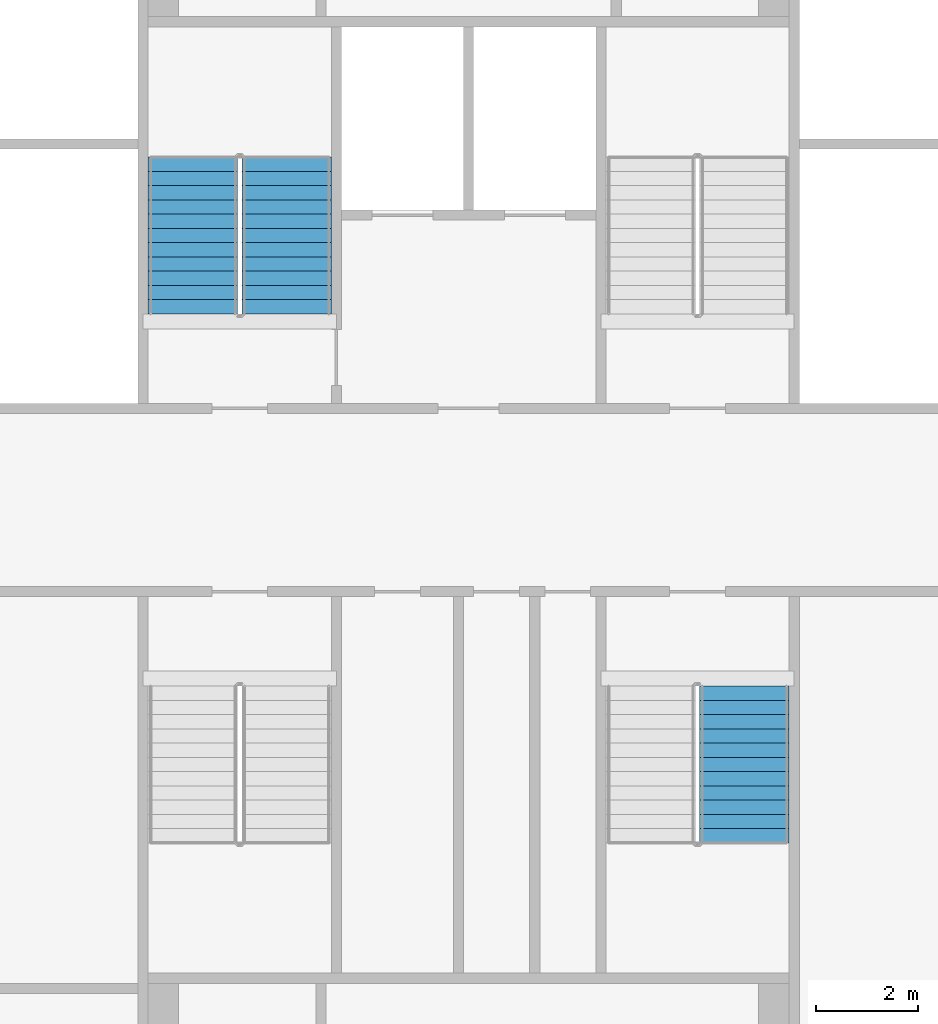
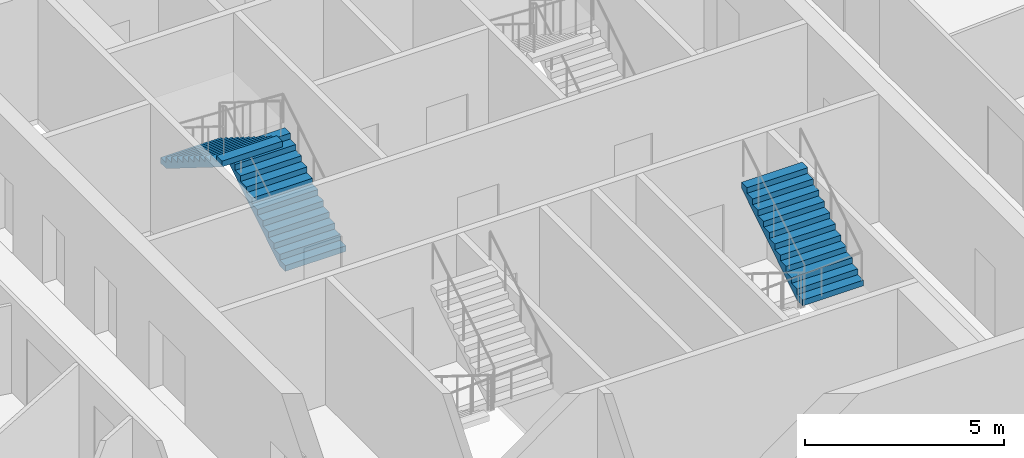
# One storey, part 23 of 28: 3 stair flights, 2 elements without a shape of their own.
"""IFC4 building model written with IfcOpenShell, lengths in metres."""

from ifc_helpers import new_model, si_unit, direction, frame, origin, place, context, subcontext, project, spatial, faceted_brep, material, type_object, element, aggregate, save


model = new_model("IFC4")

# Units and contexts
model_context = context("Model", 3, precision=1e-05, world=origin(), true_north=direction((0.0, 1.0)))
body_context = subcontext(model_context, "Body", "Model", "MODEL_VIEW")
ifc_project = project(units=[si_unit("LENGTHUNIT", "METRE"), si_unit("AREAUNIT", "SQUARE_METRE"), si_unit("VOLUMEUNIT", "CUBIC_METRE"), si_unit("PLANEANGLEUNIT", "RADIAN"), si_unit("MASSUNIT", "GRAM", prefix="KILO")], contexts=[model_context])

# Site, building, storey
site_placement = place(None, origin())
site = spatial("IfcSite", under=ifc_project, at=site_placement, CompositionType="ELEMENT")
building_placement = place(site_placement, origin())
building = spatial("IfcBuilding", under=site, at=building_placement, Name="Tarsis Ring Headquarters", CompositionType="ELEMENT")
storey_placement = place(building_placement, frame((0.0, 0.0, 394.39990234375)))
storey = spatial("IfcBuildingStorey", under=building, at=storey_placement, Name="L93", CompositionType="ELEMENT", Elevation=394.39990234375)

# Stair, stair flights
ifc_material_1 = material(Name="Core stair 1760")
stair_type = type_object("IfcStairType", Name="Core stair 1760", PredefinedType="HALF_TURN_STAIR", material=ifc_material_1)
stair_1_placement = place(storey_placement, origin())
stair_1 = element("IfcStair", 1, at=stair_1_placement, inside=storey, type_object=stair_type, Name="L93 Firefighting stair", PredefinedType="HALF_TURN_STAIR")
ifc_material_2 = material(Name="Concrete C40/50", Category="concrete")
stair_flight_type = type_object("IfcStairFlightType", Name="Core stair flight 1760", PredefinedType="STRAIGHT", material=ifc_material_2)
stair_flight_1_placement = place(storey_placement, frame((-3.580078125, 3.659912109375, 0.0), z_axis=(0.0, 0.0, 1.0), x_axis=(0.0, 1.0, 0.0)))
stair_flight_1 = element("IfcStairFlight", 2, at=stair_flight_1_placement, type_object=stair_flight_type, Name="Stair ST1 flight 1", NumberOfRisers=12, NumberOfTreads=11, PredefinedType="STRAIGHT", RiserHeight=0.175, TreadLength=0.28, context=body_context, shape_type="Brep", body=[
    faceted_brep([(0.0, 0.8798828125, 0.0), (0.0, 0.8798828125, 0.175048828125), (0.280029296875, 0.8798828125, 0.175048828125), (0.280029296875, 0.8798828125, 0.35009765625), (0.56005859375, 0.8798828125, 0.35009765625), (0.56005859375, 0.8798828125, 0.52490234375), (0.840087890625, 0.8798828125, 0.52490234375), (0.840087890625, 0.8798828125, 0.699951171875), (1.1201171875, 0.8798828125, 0.699951171875), (1.1201171875, 0.8798828125, 0.875), (1.39990234375, 0.8798828125, 0.875), (1.39990234375, 0.8798828125, 1.050048828125), (1.679931640625, 0.8798828125, 1.050048828125), (1.679931640625, 0.8798828125, 1.22509765625), (1.9599609375, 0.8798828125, 1.22509765625), (1.9599609375, 0.8798828125, 1.39990234375), (2.239990234375, 0.8798828125, 1.39990234375), (2.239990234375, 0.8798828125, 1.574951171875), (2.52001953125, 0.8798828125, 1.574951171875), (2.52001953125, 0.8798828125, 1.75), (2.800048828125, 0.8798828125, 1.75), (2.800048828125, 0.8798828125, 1.925048828125), (3.080078125, 0.8798828125, 1.925048828125), (3.080078125, 0.8798828125, 1.748291015625), (0.28271484375, 0.8798828125, 0.0), (0.28271484375, -0.8798828125, 0.0), (3.080078125, -0.8798828125, 1.748291015625), (3.080078125, -0.8798828125, 1.925048828125), (2.800048828125, -0.8798828125, 1.925048828125), (2.800048828125, -0.8798828125, 1.75), (2.52001953125, -0.8798828125, 1.75), (2.52001953125, -0.8798828125, 1.574951171875), (2.239990234375, -0.8798828125, 1.574951171875), (2.239990234375, -0.8798828125, 1.39990234375), (1.9599609375, -0.8798828125, 1.39990234375), (1.9599609375, -0.8798828125, 1.22509765625), (1.679931640625, -0.8798828125, 1.22509765625), (1.679931640625, -0.8798828125, 1.050048828125), (1.39990234375, -0.8798828125, 1.050048828125), (1.39990234375, -0.8798828125, 0.875), (1.1201171875, -0.8798828125, 0.875), (1.1201171875, -0.8798828125, 0.699951171875), (0.840087890625, -0.8798828125, 0.699951171875), (0.840087890625, -0.8798828125, 0.52490234375), (0.56005859375, -0.8798828125, 0.52490234375), (0.56005859375, -0.8798828125, 0.35009765625), (0.280029296875, -0.8798828125, 0.35009765625), (0.280029296875, -0.8798828125, 0.175048828125), (0.0, -0.8798828125, 0.175048828125), (0.0, -0.8798828125, 0.0), (0.0, -0.43994140625, 0.175048828125), (0.0, -0.43994140625, 0.0), (0.0, 0.0, 0.175048828125), (0.0, 0.0, 0.0), (0.0, 0.43994140625, 0.175048828125), (0.0, 0.43994140625, 0.0), (0.280029296875, -0.43994140625, 0.175048828125), (0.280029296875, 0.0, 0.175048828125), (0.280029296875, 0.43994140625, 0.175048828125), (0.280029296875, -0.43994140625, 0.35009765625), (0.280029296875, 0.0, 0.35009765625), (0.280029296875, 0.43994140625, 0.35009765625), (0.56005859375, -0.43994140625, 0.35009765625), (0.56005859375, 0.0, 0.35009765625), (0.56005859375, 0.43994140625, 0.35009765625), (0.56005859375, -0.43994140625, 0.52490234375), (0.56005859375, 0.0, 0.52490234375), (0.56005859375, 0.43994140625, 0.52490234375), (0.840087890625, -0.43994140625, 0.52490234375), (0.840087890625, 0.0, 0.52490234375), (0.840087890625, 0.43994140625, 0.52490234375), (0.840087890625, -0.43994140625, 0.699951171875), (0.840087890625, 0.0, 0.699951171875), (0.840087890625, 0.43994140625, 0.699951171875), (1.1201171875, -0.43994140625, 0.699951171875), (1.1201171875, 0.0, 0.699951171875), (1.1201171875, 0.43994140625, 0.699951171875), (1.1201171875, -0.43994140625, 0.875), (1.1201171875, 0.0, 0.875), (1.1201171875, 0.43994140625, 0.875), (1.39990234375, -0.43994140625, 0.875), (1.39990234375, 0.0, 0.875), (1.39990234375, 0.43994140625, 0.875), (1.39990234375, -0.43994140625, 1.050048828125), (1.39990234375, 0.0, 1.050048828125), (1.39990234375, 0.43994140625, 1.050048828125), (1.679931640625, -0.43994140625, 1.050048828125), (1.679931640625, 0.0, 1.050048828125), (1.679931640625, 0.43994140625, 1.050048828125), (1.679931640625, -0.43994140625, 1.22509765625), (1.679931640625, 0.0, 1.22509765625), (1.679931640625, 0.43994140625, 1.22509765625), (1.9599609375, -0.43994140625, 1.22509765625), (1.9599609375, 0.0, 1.22509765625), (1.9599609375, 0.43994140625, 1.22509765625), (1.9599609375, -0.43994140625, 1.39990234375), (1.9599609375, 0.0, 1.39990234375), (1.9599609375, 0.43994140625, 1.39990234375), (2.239990234375, -0.43994140625, 1.39990234375), (2.239990234375, 0.0, 1.39990234375), (2.239990234375, 0.43994140625, 1.39990234375), (2.239990234375, -0.43994140625, 1.574951171875), (2.239990234375, 0.0, 1.574951171875), (2.239990234375, 0.43994140625, 1.574951171875), (2.52001953125, -0.43994140625, 1.574951171875), (2.52001953125, 0.0, 1.574951171875), (2.52001953125, 0.43994140625, 1.574951171875), (2.52001953125, -0.43994140625, 1.75), (2.52001953125, 0.0, 1.75), (2.52001953125, 0.43994140625, 1.75), (2.800048828125, -0.43994140625, 1.75), (2.800048828125, 0.0, 1.75), (2.800048828125, 0.43994140625, 1.75), (2.800048828125, -0.43994140625, 1.925048828125), (2.800048828125, 0.0, 1.925048828125), (2.800048828125, 0.43994140625, 1.925048828125), (3.080078125, -0.43994140625, 1.925048828125), (3.080078125, 0.0, 1.925048828125), (3.080078125, 0.43994140625, 1.925048828125), (3.080078125, -0.43994140625, 1.748291015625), (3.080078125, 0.0, 1.748291015625), (3.080078125, 0.43994140625, 1.748291015625), (0.28271484375, -0.43994140625, 0.0), (0.28271484375, 0.0, 0.0), (0.28271484375, 0.43994140625, 0.0)], [[[0, 1, 2, 3, 4, 5, 6, 7, 8, 9, 10, 11, 12, 13, 14, 15, 16, 17, 18, 19, 20, 21, 22, 23, 24]], [[25, 26, 27, 28, 29, 30, 31, 32, 33, 34, 35, 36, 37, 38, 39, 40, 41, 42, 43, 44, 45, 46, 47, 48, 49]], [[49, 48, 50, 51]], [[51, 50, 52, 53]], [[53, 52, 54, 55]], [[55, 54, 1, 0]], [[48, 47, 56, 50]], [[50, 56, 57, 52]], [[52, 57, 58, 54]], [[54, 58, 2, 1]], [[47, 46, 59, 56]], [[56, 59, 60, 57]], [[57, 60, 61, 58]], [[58, 61, 3, 2]], [[46, 45, 62, 59]], [[59, 62, 63, 60]], [[60, 63, 64, 61]], [[61, 64, 4, 3]], [[45, 44, 65, 62]], [[62, 65, 66, 63]], [[63, 66, 67, 64]], [[64, 67, 5, 4]], [[44, 43, 68, 65]], [[65, 68, 69, 66]], [[66, 69, 70, 67]], [[67, 70, 6, 5]], [[43, 42, 71, 68]], [[68, 71, 72, 69]], [[69, 72, 73, 70]], [[70, 73, 7, 6]], [[42, 41, 74, 71]], [[71, 74, 75, 72]], [[72, 75, 76, 73]], [[73, 76, 8, 7]], [[41, 40, 77, 74]], [[74, 77, 78, 75]], [[75, 78, 79, 76]], [[76, 79, 9, 8]], [[40, 39, 80, 77]], [[77, 80, 81, 78]], [[78, 81, 82, 79]], [[79, 82, 10, 9]], [[39, 38, 83, 80]], [[80, 83, 84, 81]], [[81, 84, 85, 82]], [[82, 85, 11, 10]], [[38, 37, 86, 83]], [[83, 86, 87, 84]], [[84, 87, 88, 85]], [[85, 88, 12, 11]], [[37, 36, 89, 86]], [[86, 89, 90, 87]], [[87, 90, 91, 88]], [[88, 91, 13, 12]], [[36, 35, 92, 89]], [[89, 92, 93, 90]], [[90, 93, 94, 91]], [[91, 94, 14, 13]], [[35, 34, 95, 92]], [[92, 95, 96, 93]], [[93, 96, 97, 94]], [[94, 97, 15, 14]], [[34, 33, 98, 95]], [[95, 98, 99, 96]], [[96, 99, 100, 97]], [[97, 100, 16, 15]], [[33, 32, 101, 98]], [[98, 101, 102, 99]], [[99, 102, 103, 100]], [[100, 103, 17, 16]], [[32, 31, 104, 101]], [[101, 104, 105, 102]], [[102, 105, 106, 103]], [[103, 106, 18, 17]], [[31, 30, 107, 104]], [[104, 107, 108, 105]], [[105, 108, 109, 106]], [[106, 109, 19, 18]], [[30, 29, 110, 107]], [[107, 110, 111, 108]], [[108, 111, 112, 109]], [[109, 112, 20, 19]], [[29, 28, 113, 110]], [[110, 113, 114, 111]], [[111, 114, 115, 112]], [[112, 115, 21, 20]], [[28, 27, 116, 113]], [[113, 116, 117, 114]], [[114, 117, 118, 115]], [[115, 118, 22, 21]], [[27, 26, 119, 116]], [[116, 119, 120, 117]], [[117, 120, 121, 118]], [[118, 121, 23, 22]], [[26, 25, 122, 119]], [[119, 122, 123, 120]], [[120, 123, 124, 121]], [[121, 124, 24, 23]], [[25, 49, 51, 122]], [[122, 51, 53, 123]], [[123, 53, 55, 124]], [[124, 55, 0, 24]]]),
])
stair_flight_2_placement = place(storey_placement, frame((-5.419921875, 6.739990234375, 2.10009765625), z_axis=(0.0, 0.0, 1.0), x_axis=(0.0, -1.0, 0.0)))
stair_flight_2 = element("IfcStairFlight", 3, at=stair_flight_2_placement, type_object=stair_flight_type, Name="Stair ST1 flight 2", NumberOfRisers=12, NumberOfTreads=11, PredefinedType="STRAIGHT", RiserHeight=0.175, TreadLength=0.28, context=body_context, shape_type="Brep", body=[
    faceted_brep([(0.0, 0.8798828125, 0.0), (0.0, 0.8798828125, 0.175048828125), (0.280029296875, 0.8798828125, 0.175048828125), (0.280029296875, 0.8798828125, 0.35009765625), (0.56005859375, 0.8798828125, 0.35009765625), (0.56005859375, 0.8798828125, 0.52490234375), (0.840087890625, 0.8798828125, 0.52490234375), (0.840087890625, 0.8798828125, 0.699951171875), (1.1201171875, 0.8798828125, 0.699951171875), (1.1201171875, 0.8798828125, 0.875), (1.39990234375, 0.8798828125, 0.875), (1.39990234375, 0.8798828125, 1.050048828125), (1.679931640625, 0.8798828125, 1.050048828125), (1.679931640625, 0.8798828125, 1.22509765625), (1.9599609375, 0.8798828125, 1.22509765625), (1.9599609375, 0.8798828125, 1.39990234375), (2.239990234375, 0.8798828125, 1.39990234375), (2.239990234375, 0.8798828125, 1.574951171875), (2.52001953125, 0.8798828125, 1.574951171875), (2.52001953125, 0.8798828125, 1.75), (2.800048828125, 0.8798828125, 1.75), (2.800048828125, 0.8798828125, 1.925048828125), (3.080078125, 0.8798828125, 1.925048828125), (3.080078125, 0.8798828125, 1.748291015625), (0.28271484375, 0.8798828125, 0.0), (0.28271484375, -0.8798828125, 0.0), (3.080078125, -0.8798828125, 1.748291015625), (3.080078125, -0.8798828125, 1.925048828125), (2.800048828125, -0.8798828125, 1.925048828125), (2.800048828125, -0.8798828125, 1.75), (2.52001953125, -0.8798828125, 1.75), (2.52001953125, -0.8798828125, 1.574951171875), (2.239990234375, -0.8798828125, 1.574951171875), (2.239990234375, -0.8798828125, 1.39990234375), (1.9599609375, -0.8798828125, 1.39990234375), (1.9599609375, -0.8798828125, 1.22509765625), (1.679931640625, -0.8798828125, 1.22509765625), (1.679931640625, -0.8798828125, 1.050048828125), (1.39990234375, -0.8798828125, 1.050048828125), (1.39990234375, -0.8798828125, 0.875), (1.1201171875, -0.8798828125, 0.875), (1.1201171875, -0.8798828125, 0.699951171875), (0.840087890625, -0.8798828125, 0.699951171875), (0.840087890625, -0.8798828125, 0.52490234375), (0.56005859375, -0.8798828125, 0.52490234375), (0.56005859375, -0.8798828125, 0.35009765625), (0.280029296875, -0.8798828125, 0.35009765625), (0.280029296875, -0.8798828125, 0.175048828125), (0.0, -0.8798828125, 0.175048828125), (0.0, -0.8798828125, 0.0), (0.0, -0.43994140625, 0.175048828125), (0.0, -0.43994140625, 0.0), (0.0, 0.0, 0.175048828125), (0.0, 0.0, 0.0), (0.0, 0.43994140625, 0.175048828125), (0.0, 0.43994140625, 0.0), (0.280029296875, -0.43994140625, 0.175048828125), (0.280029296875, 0.0, 0.175048828125), (0.280029296875, 0.43994140625, 0.175048828125), (0.280029296875, -0.43994140625, 0.35009765625), (0.280029296875, 0.0, 0.35009765625), (0.280029296875, 0.43994140625, 0.35009765625), (0.56005859375, -0.43994140625, 0.35009765625), (0.56005859375, 0.0, 0.35009765625), (0.56005859375, 0.43994140625, 0.35009765625), (0.56005859375, -0.43994140625, 0.52490234375), (0.56005859375, 0.0, 0.52490234375), (0.56005859375, 0.43994140625, 0.52490234375), (0.840087890625, -0.43994140625, 0.52490234375), (0.840087890625, 0.0, 0.52490234375), (0.840087890625, 0.43994140625, 0.52490234375), (0.840087890625, -0.43994140625, 0.699951171875), (0.840087890625, 0.0, 0.699951171875), (0.840087890625, 0.43994140625, 0.699951171875), (1.1201171875, -0.43994140625, 0.699951171875), (1.1201171875, 0.0, 0.699951171875), (1.1201171875, 0.43994140625, 0.699951171875), (1.1201171875, -0.43994140625, 0.875), (1.1201171875, 0.0, 0.875), (1.1201171875, 0.43994140625, 0.875), (1.39990234375, -0.43994140625, 0.875), (1.39990234375, 0.0, 0.875), (1.39990234375, 0.43994140625, 0.875), (1.39990234375, -0.43994140625, 1.050048828125), (1.39990234375, 0.0, 1.050048828125), (1.39990234375, 0.43994140625, 1.050048828125), (1.679931640625, -0.43994140625, 1.050048828125), (1.679931640625, 0.0, 1.050048828125), (1.679931640625, 0.43994140625, 1.050048828125), (1.679931640625, -0.43994140625, 1.22509765625), (1.679931640625, 0.0, 1.22509765625), (1.679931640625, 0.43994140625, 1.22509765625), (1.9599609375, -0.43994140625, 1.22509765625), (1.9599609375, 0.0, 1.22509765625), (1.9599609375, 0.43994140625, 1.22509765625), (1.9599609375, -0.43994140625, 1.39990234375), (1.9599609375, 0.0, 1.39990234375), (1.9599609375, 0.43994140625, 1.39990234375), (2.239990234375, -0.43994140625, 1.39990234375), (2.239990234375, 0.0, 1.39990234375), (2.239990234375, 0.43994140625, 1.39990234375), (2.239990234375, -0.43994140625, 1.574951171875), (2.239990234375, 0.0, 1.574951171875), (2.239990234375, 0.43994140625, 1.574951171875), (2.52001953125, -0.43994140625, 1.574951171875), (2.52001953125, 0.0, 1.574951171875), (2.52001953125, 0.43994140625, 1.574951171875), (2.52001953125, -0.43994140625, 1.75), (2.52001953125, 0.0, 1.75), (2.52001953125, 0.43994140625, 1.75), (2.800048828125, -0.43994140625, 1.75), (2.800048828125, 0.0, 1.75), (2.800048828125, 0.43994140625, 1.75), (2.800048828125, -0.43994140625, 1.925048828125), (2.800048828125, 0.0, 1.925048828125), (2.800048828125, 0.43994140625, 1.925048828125), (3.080078125, -0.43994140625, 1.925048828125), (3.080078125, 0.0, 1.925048828125), (3.080078125, 0.43994140625, 1.925048828125), (3.080078125, -0.43994140625, 1.748291015625), (3.080078125, 0.0, 1.748291015625), (3.080078125, 0.43994140625, 1.748291015625), (0.28271484375, -0.43994140625, 0.0), (0.28271484375, 0.0, 0.0), (0.28271484375, 0.43994140625, 0.0)], [[[0, 1, 2, 3, 4, 5, 6, 7, 8, 9, 10, 11, 12, 13, 14, 15, 16, 17, 18, 19, 20, 21, 22, 23, 24]], [[25, 26, 27, 28, 29, 30, 31, 32, 33, 34, 35, 36, 37, 38, 39, 40, 41, 42, 43, 44, 45, 46, 47, 48, 49]], [[49, 48, 50, 51]], [[51, 50, 52, 53]], [[53, 52, 54, 55]], [[55, 54, 1, 0]], [[48, 47, 56, 50]], [[50, 56, 57, 52]], [[52, 57, 58, 54]], [[54, 58, 2, 1]], [[47, 46, 59, 56]], [[56, 59, 60, 57]], [[57, 60, 61, 58]], [[58, 61, 3, 2]], [[46, 45, 62, 59]], [[59, 62, 63, 60]], [[60, 63, 64, 61]], [[61, 64, 4, 3]], [[45, 44, 65, 62]], [[62, 65, 66, 63]], [[63, 66, 67, 64]], [[64, 67, 5, 4]], [[44, 43, 68, 65]], [[65, 68, 69, 66]], [[66, 69, 70, 67]], [[67, 70, 6, 5]], [[43, 42, 71, 68]], [[68, 71, 72, 69]], [[69, 72, 73, 70]], [[70, 73, 7, 6]], [[42, 41, 74, 71]], [[71, 74, 75, 72]], [[72, 75, 76, 73]], [[73, 76, 8, 7]], [[41, 40, 77, 74]], [[74, 77, 78, 75]], [[75, 78, 79, 76]], [[76, 79, 9, 8]], [[40, 39, 80, 77]], [[77, 80, 81, 78]], [[78, 81, 82, 79]], [[79, 82, 10, 9]], [[39, 38, 83, 80]], [[80, 83, 84, 81]], [[81, 84, 85, 82]], [[82, 85, 11, 10]], [[38, 37, 86, 83]], [[83, 86, 87, 84]], [[84, 87, 88, 85]], [[85, 88, 12, 11]], [[37, 36, 89, 86]], [[86, 89, 90, 87]], [[87, 90, 91, 88]], [[88, 91, 13, 12]], [[36, 35, 92, 89]], [[89, 92, 93, 90]], [[90, 93, 94, 91]], [[91, 94, 14, 13]], [[35, 34, 95, 92]], [[92, 95, 96, 93]], [[93, 96, 97, 94]], [[94, 97, 15, 14]], [[34, 33, 98, 95]], [[95, 98, 99, 96]], [[96, 99, 100, 97]], [[97, 100, 16, 15]], [[33, 32, 101, 98]], [[98, 101, 102, 99]], [[99, 102, 103, 100]], [[100, 103, 17, 16]], [[32, 31, 104, 101]], [[101, 104, 105, 102]], [[102, 105, 106, 103]], [[103, 106, 18, 17]], [[31, 30, 107, 104]], [[104, 107, 108, 105]], [[105, 108, 109, 106]], [[106, 109, 19, 18]], [[30, 29, 110, 107]], [[107, 110, 111, 108]], [[108, 111, 112, 109]], [[109, 112, 20, 19]], [[29, 28, 113, 110]], [[110, 113, 114, 111]], [[111, 114, 115, 112]], [[112, 115, 21, 20]], [[28, 27, 116, 113]], [[113, 116, 117, 114]], [[114, 117, 118, 115]], [[115, 118, 22, 21]], [[27, 26, 119, 116]], [[116, 119, 120, 117]], [[117, 120, 121, 118]], [[118, 121, 23, 22]], [[26, 25, 122, 119]], [[119, 122, 123, 120]], [[120, 123, 124, 121]], [[121, 124, 24, 23]], [[25, 49, 51, 122]], [[122, 51, 53, 123]], [[123, 53, 55, 124]], [[124, 55, 0, 24]]]),
])
aggregate(stair_1, [stair_flight_1, stair_flight_2])

# Stair, stair flight
stair_2_placement = place(storey_placement, origin())
stair_2 = element("IfcStair", 4, at=stair_2_placement, inside=storey, type_object=stair_type, Name="L93 Exit stair D", PredefinedType="HALF_TURN_STAIR")
stair_flight_3_placement = place(storey_placement, frame((5.419921875, -6.739990234375, 2.10009765625), z_axis=(0.0, 0.0, 1.0), x_axis=(0.0, 1.0, 0.0)))
stair_flight_3 = element("IfcStairFlight", 5, at=stair_flight_3_placement, type_object=stair_flight_type, Name="Stair ST4 flight 2", NumberOfRisers=12, NumberOfTreads=11, PredefinedType="STRAIGHT", RiserHeight=0.175, TreadLength=0.28, context=body_context, shape_type="Brep", body=[
    faceted_brep([(0.0, 0.8798828125, 0.0), (0.0, 0.8798828125, 0.175048828125), (0.280029296875, 0.8798828125, 0.175048828125), (0.280029296875, 0.8798828125, 0.35009765625), (0.56005859375, 0.8798828125, 0.35009765625), (0.56005859375, 0.8798828125, 0.52490234375), (0.840087890625, 0.8798828125, 0.52490234375), (0.840087890625, 0.8798828125, 0.699951171875), (1.1201171875, 0.8798828125, 0.699951171875), (1.1201171875, 0.8798828125, 0.875), (1.39990234375, 0.8798828125, 0.875), (1.39990234375, 0.8798828125, 1.050048828125), (1.679931640625, 0.8798828125, 1.050048828125), (1.679931640625, 0.8798828125, 1.22509765625), (1.9599609375, 0.8798828125, 1.22509765625), (1.9599609375, 0.8798828125, 1.39990234375), (2.239990234375, 0.8798828125, 1.39990234375), (2.239990234375, 0.8798828125, 1.574951171875), (2.52001953125, 0.8798828125, 1.574951171875), (2.52001953125, 0.8798828125, 1.75), (2.800048828125, 0.8798828125, 1.75), (2.800048828125, 0.8798828125, 1.925048828125), (3.080078125, 0.8798828125, 1.925048828125), (3.080078125, 0.8798828125, 1.748291015625), (0.28271484375, 0.8798828125, 0.0), (0.28271484375, -0.8798828125, 0.0), (3.080078125, -0.8798828125, 1.748291015625), (3.080078125, -0.8798828125, 1.925048828125), (2.800048828125, -0.8798828125, 1.925048828125), (2.800048828125, -0.8798828125, 1.75), (2.52001953125, -0.8798828125, 1.75), (2.52001953125, -0.8798828125, 1.574951171875), (2.239990234375, -0.8798828125, 1.574951171875), (2.239990234375, -0.8798828125, 1.39990234375), (1.9599609375, -0.8798828125, 1.39990234375), (1.9599609375, -0.8798828125, 1.22509765625), (1.679931640625, -0.8798828125, 1.22509765625), (1.679931640625, -0.8798828125, 1.050048828125), (1.39990234375, -0.8798828125, 1.050048828125), (1.39990234375, -0.8798828125, 0.875), (1.1201171875, -0.8798828125, 0.875), (1.1201171875, -0.8798828125, 0.699951171875), (0.840087890625, -0.8798828125, 0.699951171875), (0.840087890625, -0.8798828125, 0.52490234375), (0.56005859375, -0.8798828125, 0.52490234375), (0.56005859375, -0.8798828125, 0.35009765625), (0.280029296875, -0.8798828125, 0.35009765625), (0.280029296875, -0.8798828125, 0.175048828125), (0.0, -0.8798828125, 0.175048828125), (0.0, -0.8798828125, 0.0), (0.0, -0.43994140625, 0.175048828125), (0.0, -0.43994140625, 0.0), (0.0, 0.0, 0.175048828125), (0.0, 0.0, 0.0), (0.0, 0.43994140625, 0.175048828125), (0.0, 0.43994140625, 0.0), (0.280029296875, -0.43994140625, 0.175048828125), (0.280029296875, 0.0, 0.175048828125), (0.280029296875, 0.43994140625, 0.175048828125), (0.280029296875, -0.43994140625, 0.35009765625), (0.280029296875, 0.0, 0.35009765625), (0.280029296875, 0.43994140625, 0.35009765625), (0.56005859375, -0.43994140625, 0.35009765625), (0.56005859375, 0.0, 0.35009765625), (0.56005859375, 0.43994140625, 0.35009765625), (0.56005859375, -0.43994140625, 0.52490234375), (0.56005859375, 0.0, 0.52490234375), (0.56005859375, 0.43994140625, 0.52490234375), (0.840087890625, -0.43994140625, 0.52490234375), (0.840087890625, 0.0, 0.52490234375), (0.840087890625, 0.43994140625, 0.52490234375), (0.840087890625, -0.43994140625, 0.699951171875), (0.840087890625, 0.0, 0.699951171875), (0.840087890625, 0.43994140625, 0.699951171875), (1.1201171875, -0.43994140625, 0.699951171875), (1.1201171875, 0.0, 0.699951171875), (1.1201171875, 0.43994140625, 0.699951171875), (1.1201171875, -0.43994140625, 0.875), (1.1201171875, 0.0, 0.875), (1.1201171875, 0.43994140625, 0.875), (1.39990234375, -0.43994140625, 0.875), (1.39990234375, 0.0, 0.875), (1.39990234375, 0.43994140625, 0.875), (1.39990234375, -0.43994140625, 1.050048828125), (1.39990234375, 0.0, 1.050048828125), (1.39990234375, 0.43994140625, 1.050048828125), (1.679931640625, -0.43994140625, 1.050048828125), (1.679931640625, 0.0, 1.050048828125), (1.679931640625, 0.43994140625, 1.050048828125), (1.679931640625, -0.43994140625, 1.22509765625), (1.679931640625, 0.0, 1.22509765625), (1.679931640625, 0.43994140625, 1.22509765625), (1.9599609375, -0.43994140625, 1.22509765625), (1.9599609375, 0.0, 1.22509765625), (1.9599609375, 0.43994140625, 1.22509765625), (1.9599609375, -0.43994140625, 1.39990234375), (1.9599609375, 0.0, 1.39990234375), (1.9599609375, 0.43994140625, 1.39990234375), (2.239990234375, -0.43994140625, 1.39990234375), (2.239990234375, 0.0, 1.39990234375), (2.239990234375, 0.43994140625, 1.39990234375), (2.239990234375, -0.43994140625, 1.574951171875), (2.239990234375, 0.0, 1.574951171875), (2.239990234375, 0.43994140625, 1.574951171875), (2.52001953125, -0.43994140625, 1.574951171875), (2.52001953125, 0.0, 1.574951171875), (2.52001953125, 0.43994140625, 1.574951171875), (2.52001953125, -0.43994140625, 1.75), (2.52001953125, 0.0, 1.75), (2.52001953125, 0.43994140625, 1.75), (2.800048828125, -0.43994140625, 1.75), (2.800048828125, 0.0, 1.75), (2.800048828125, 0.43994140625, 1.75), (2.800048828125, -0.43994140625, 1.925048828125), (2.800048828125, 0.0, 1.925048828125), (2.800048828125, 0.43994140625, 1.925048828125), (3.080078125, -0.43994140625, 1.925048828125), (3.080078125, 0.0, 1.925048828125), (3.080078125, 0.43994140625, 1.925048828125), (3.080078125, -0.43994140625, 1.748291015625), (3.080078125, 0.0, 1.748291015625), (3.080078125, 0.43994140625, 1.748291015625), (0.28271484375, -0.43994140625, 0.0), (0.28271484375, 0.0, 0.0), (0.28271484375, 0.43994140625, 0.0)], [[[0, 1, 2, 3, 4, 5, 6, 7, 8, 9, 10, 11, 12, 13, 14, 15, 16, 17, 18, 19, 20, 21, 22, 23, 24]], [[25, 26, 27, 28, 29, 30, 31, 32, 33, 34, 35, 36, 37, 38, 39, 40, 41, 42, 43, 44, 45, 46, 47, 48, 49]], [[49, 48, 50, 51]], [[51, 50, 52, 53]], [[53, 52, 54, 55]], [[55, 54, 1, 0]], [[48, 47, 56, 50]], [[50, 56, 57, 52]], [[52, 57, 58, 54]], [[54, 58, 2, 1]], [[47, 46, 59, 56]], [[56, 59, 60, 57]], [[57, 60, 61, 58]], [[58, 61, 3, 2]], [[46, 45, 62, 59]], [[59, 62, 63, 60]], [[60, 63, 64, 61]], [[61, 64, 4, 3]], [[45, 44, 65, 62]], [[62, 65, 66, 63]], [[63, 66, 67, 64]], [[64, 67, 5, 4]], [[44, 43, 68, 65]], [[65, 68, 69, 66]], [[66, 69, 70, 67]], [[67, 70, 6, 5]], [[43, 42, 71, 68]], [[68, 71, 72, 69]], [[69, 72, 73, 70]], [[70, 73, 7, 6]], [[42, 41, 74, 71]], [[71, 74, 75, 72]], [[72, 75, 76, 73]], [[73, 76, 8, 7]], [[41, 40, 77, 74]], [[74, 77, 78, 75]], [[75, 78, 79, 76]], [[76, 79, 9, 8]], [[40, 39, 80, 77]], [[77, 80, 81, 78]], [[78, 81, 82, 79]], [[79, 82, 10, 9]], [[39, 38, 83, 80]], [[80, 83, 84, 81]], [[81, 84, 85, 82]], [[82, 85, 11, 10]], [[38, 37, 86, 83]], [[83, 86, 87, 84]], [[84, 87, 88, 85]], [[85, 88, 12, 11]], [[37, 36, 89, 86]], [[86, 89, 90, 87]], [[87, 90, 91, 88]], [[88, 91, 13, 12]], [[36, 35, 92, 89]], [[89, 92, 93, 90]], [[90, 93, 94, 91]], [[91, 94, 14, 13]], [[35, 34, 95, 92]], [[92, 95, 96, 93]], [[93, 96, 97, 94]], [[94, 97, 15, 14]], [[34, 33, 98, 95]], [[95, 98, 99, 96]], [[96, 99, 100, 97]], [[97, 100, 16, 15]], [[33, 32, 101, 98]], [[98, 101, 102, 99]], [[99, 102, 103, 100]], [[100, 103, 17, 16]], [[32, 31, 104, 101]], [[101, 104, 105, 102]], [[102, 105, 106, 103]], [[103, 106, 18, 17]], [[31, 30, 107, 104]], [[104, 107, 108, 105]], [[105, 108, 109, 106]], [[106, 109, 19, 18]], [[30, 29, 110, 107]], [[107, 110, 111, 108]], [[108, 111, 112, 109]], [[109, 112, 20, 19]], [[29, 28, 113, 110]], [[110, 113, 114, 111]], [[111, 114, 115, 112]], [[112, 115, 21, 20]], [[28, 27, 116, 113]], [[113, 116, 117, 114]], [[114, 117, 118, 115]], [[115, 118, 22, 21]], [[27, 26, 119, 116]], [[116, 119, 120, 117]], [[117, 120, 121, 118]], [[118, 121, 23, 22]], [[26, 25, 122, 119]], [[119, 122, 123, 120]], [[120, 123, 124, 121]], [[121, 124, 24, 23]], [[25, 49, 51, 122]], [[122, 51, 53, 123]], [[123, 53, 55, 124]], [[124, 55, 0, 24]]]),
])
aggregate(stair_2, [stair_flight_3])

save(model, "model.ifc")
